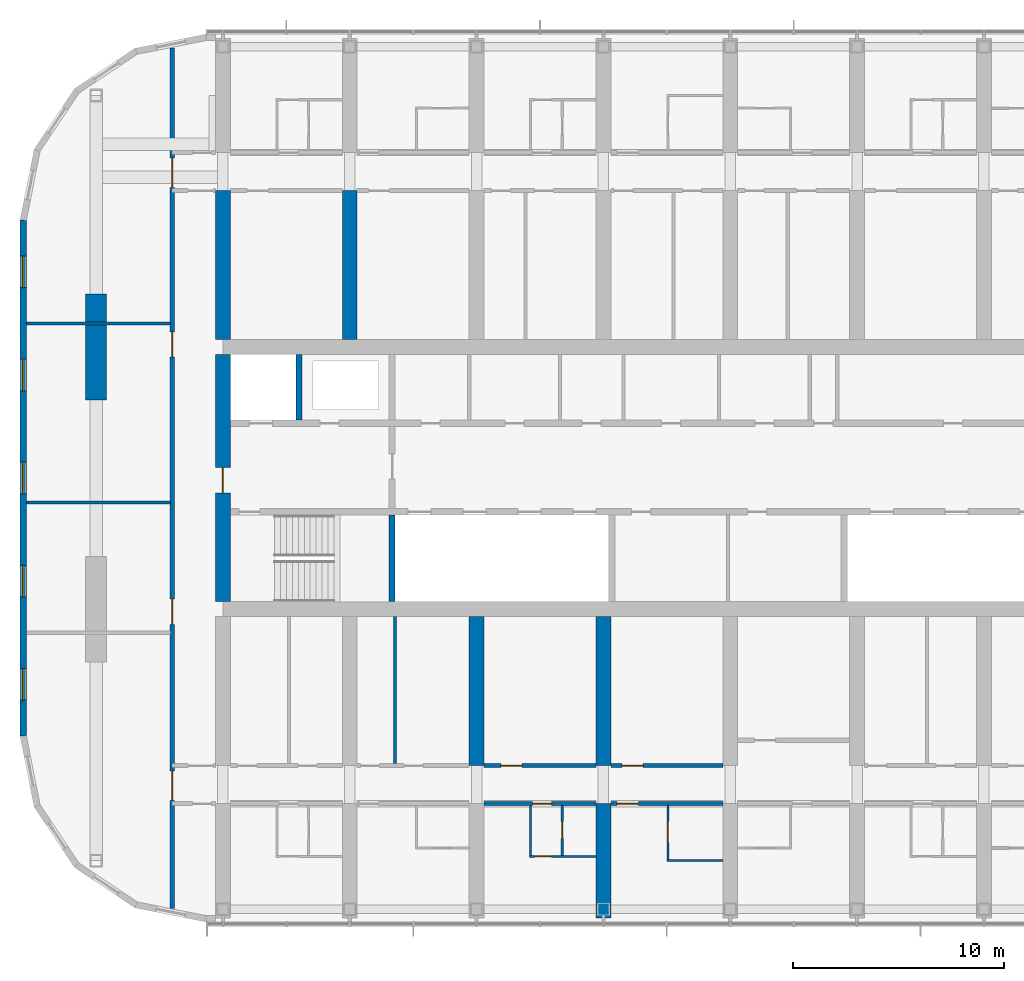
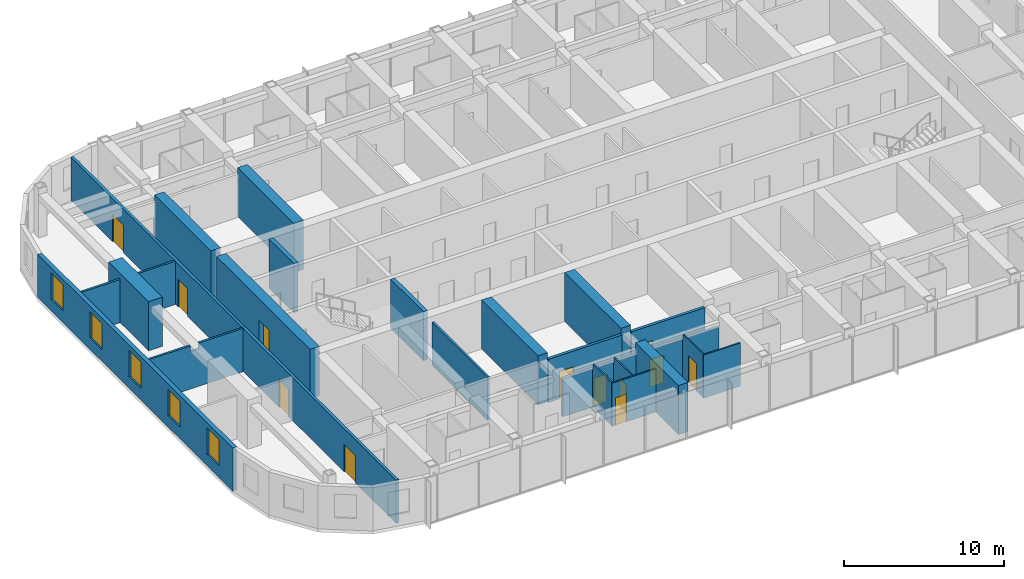
# One storey, part 11 of 23: 23 walls, 12 doors, 5 windows, 17 openings.
"""IFC4 building model written with IfcOpenShell, lengths in metres."""

from ifc_helpers import new_model, si_unit, direction, frame, frame_2d, origin, place, context, subcontext, project, spatial, polyline, rectangle, outline, extrude, material, layer, layer_set, type_object, element, fill, save


model = new_model("IFC4")

# Units and contexts
model_context = context("Model", 3, precision=1e-05, world=origin(), true_north=direction((0.0, 1.0)))
body_context = subcontext(model_context, "Body", "Model", "MODEL_VIEW")
ifc_project = project(units=[si_unit("LENGTHUNIT", "METRE"), si_unit("AREAUNIT", "SQUARE_METRE"), si_unit("VOLUMEUNIT", "CUBIC_METRE"), si_unit("PLANEANGLEUNIT", "RADIAN"), si_unit("MASSUNIT", "GRAM", prefix="KILO")], contexts=[model_context])

# Site, building, storey
site_placement = place(None, origin())
site = spatial("IfcSite", under=ifc_project, at=site_placement, CompositionType="ELEMENT")
building_placement = place(site_placement, origin())
building = spatial("IfcBuilding", under=site, at=building_placement, Name="Orbita Commons", CompositionType="ELEMENT")
storey_placement = place(building_placement, frame((0.0, 0.0, 227.800048828125)))
storey = spatial("IfcBuildingStorey", under=building, at=storey_placement, Name="L56", CompositionType="ELEMENT", Elevation=227.800048828125)

# Walls
ifc_material_1 = material(Name="Concrete C50/60", Category="concrete")
ifc_layer_1 = layer(ifc_material_1, 0.300048828125)
ifc_layer_set_1 = layer_set([ifc_layer_1], Name="Concrete C50/60")
wall_type_1 = type_object("IfcWallType", Name="Core inner wall 300 C50/60", PredefinedType="SHEAR", material=ifc_layer_set_1)
wall_1_placement = place(storey_placement, frame((26.0, 26.14990234375, 0.0), z_axis=(0.0, 0.0, 1.0), x_axis=(0.0, 1.0, 0.0)))
element("IfcWall", 1, at=wall_1_placement, inside=storey, type_object=wall_type_1, Name="Stair S1 wall L56", PredefinedType="SHEAR", context=body_context, shape_type="SweptSolid", body=[
    extrude(rectangle(XDim=4.10009765625, YDim=0.300048828125, at=frame_2d((2.050048828125, 0.0))), origin(), (0.0, 0.0, 1.0), 3.75),
])
wall_2_placement = place(storey_placement, frame((21.60009765625, 34.75, 0.0), z_axis=(0.0, 0.0, 1.0), x_axis=(0.0, 1.0, 0.0)))
element("IfcWall", 2, at=wall_2_placement, inside=storey, type_object=wall_type_1, Name="Firefighting lift FL1 shaft wall L56", PredefinedType="SHEAR", context=body_context, shape_type="SweptSolid", body=[
    extrude(rectangle(XDim=3.10009765625, YDim=0.300048828125, at=frame_2d((1.550048828125, 0.0))), origin(), (0.0, 0.0, 1.0), 3.75),
])

# Wall, opening, door
ifc_material_2 = material(Name="Concrete C50/60", Category="concrete")
ifc_layer_2 = layer(ifc_material_2, 0.699951171875)
ifc_layer_set_2 = layer_set([ifc_layer_2], Name="Concrete C50/60")
wall_type_2 = type_object("IfcWallType", Name="Core wall 700 C50/60", PredefinedType="SHEAR", material=ifc_layer_set_2)
wall_3_placement = place(storey_placement, frame((18.0, 26.14990234375, 0.0), z_axis=(0.0, 0.0, 1.0), x_axis=(0.0, 1.0, 0.0)))
wall_3 = element("IfcWall", 3, at=wall_3_placement, inside=storey, type_object=wall_type_2, Name="Core end wall west L56", PredefinedType="SHEAR", context=body_context, shape_type="SweptSolid", body=[
    extrude(rectangle(XDim=11.7001953125, YDim=0.699951171875, at=frame_2d((5.85009765625, 0.0))), origin(), (0.0, 0.0, 1.0), 3.75),
])
opening_1_placement = place(wall_3_placement, frame((5.14990234375, 0.0, 0.0)))
opening_1 = element("IfcOpeningElement", 4, at=opening_1_placement, cuts=wall_3, Name="Opening D01", PredefinedType="OPENING", context=body_context, shape_type="SweptSolid", body=[
    extrude(rectangle(XDim=1.199951171875, YDim=2.10009765625, at=frame_2d((0.60009765625, 1.050048828125))), frame((0.0, 0.35986328125, 0.0), z_axis=(0.0, -1.0, 0.0), x_axis=(1.0, 0.0, 0.0)), (0.0, 0.0, 1.0), 0.719970703125),
])
ifc_material_3 = material(Name="Steel-faced fire door leaf", Category="steel")
door_type_1 = type_object("IfcDoorType", Name="Fire door 90 min 1200x2100", OperationType="SINGLE_SWING_LEFT", PredefinedType="DOOR", material=ifc_material_3)
door_1_placement = place(opening_1_placement, origin())
door_1 = element("IfcDoor", 5, at=door_1_placement, inside=storey, type_object=door_type_1, Name="Firefighting lobby west door", OperationType="SINGLE_SWING_LEFT", OverallHeight=2.10009765625, OverallWidth=1.199951171875, PredefinedType="DOOR", context=body_context, shape_type="SweptSolid", body=[
    extrude(rectangle(XDim=1.199951171875, YDim=2.10009765625, at=frame_2d((0.60009765625, 1.050048828125))), frame((0.0, 0.02490234375, 0.0), z_axis=(0.0, -1.0, 0.0), x_axis=(1.0, 0.0, 0.0)), (0.0, 0.0, 1.0), 0.050048828125),
])
fill(opening_1, door_1)

ifc_material_4 = material(Name="Concrete blockwork", Category="masonry")
ifc_layer_3 = layer(ifc_material_4, 0.199951171875)
ifc_layer_set_3 = layer_set([ifc_layer_3], Name="Concrete blockwork")
wall_type_3 = type_object("IfcWallType", Name="Corridor wall 200 blockwork", PredefinedType="SOLIDWALL", material=ifc_layer_set_3)
wall_4_placement = place(storey_placement, frame((30.35009765625, 16.60009765625, 0.0), z_axis=(0.0, 0.0, 1.0), x_axis=(1.0, 0.0, 0.0)))
wall_4 = element("IfcWall", 6, at=wall_4_placement, inside=storey, type_object=wall_type_3, Name="Corridor wall 200 blockwork L56", PredefinedType="SOLIDWALL", context=body_context, shape_type="SweptSolid", body=[
    extrude(outline(polyline([(0.0, 0.0), (5.2998046875, 0.0), (5.300048828125, 2.89990234375), (0.0, 2.89990234375), (0.0, 0.0)])), frame((0.0, 0.10009765625, 0.0), z_axis=(0.0, -1.0, 0.0), x_axis=(1.0, 0.0, 0.0)), (0.0, 0.0, 1.0), 0.199951171875),
])
opening_2_placement = place(wall_4_placement, frame((2.300048828125, 0.0, 0.0)))
opening_2 = element("IfcOpeningElement", 7, at=opening_2_placement, cuts=wall_4, Name="Opening D11", PredefinedType="OPENING", context=body_context, shape_type="SweptSolid", body=[
    extrude(rectangle(XDim=0.89990234375, YDim=2.10009765625, at=frame_2d((0.449951171875, 1.050048828125))), frame((0.0, 0.10986328125, 0.0), z_axis=(0.0, -1.0, 0.0), x_axis=(1.0, 0.0, 0.0)), (0.0, 0.0, 1.0), 0.219970703125),
])
ifc_material_5 = material(Name="Steel-faced fire door leaf", Category="steel")
door_type_2 = type_object("IfcDoorType", Name="Corridor door 20 min 900x2100", OperationType="SINGLE_SWING_LEFT", PredefinedType="DOOR", material=ifc_material_5)
door_2_placement = place(opening_2_placement, origin())
door_2 = element("IfcDoor", 8, at=door_2_placement, inside=storey, type_object=door_type_2, Name="Studio flat L56-S04 entrance door", OperationType="SINGLE_SWING_LEFT", OverallHeight=2.10009765625, OverallWidth=0.89990234375, PredefinedType="DOOR", context=body_context, shape_type="SweptSolid", body=[
    extrude(rectangle(XDim=0.89990234375, YDim=2.10009765625, at=frame_2d((0.449951171875, 1.050048828125))), frame((0.0, 0.02490234375, 0.0), z_axis=(0.0, -1.0, 0.0), x_axis=(1.0, 0.0, 0.0)), (0.0, 0.0, 1.0), 0.050048828125),
])
fill(opening_2, door_2)

wall_5_placement = place(storey_placement, frame((36.35009765625, 16.60009765625, 0.0), z_axis=(0.0, 0.0, 1.0), x_axis=(1.0, 0.0, 0.0)))
wall_5 = element("IfcWall", 9, at=wall_5_placement, inside=storey, type_object=wall_type_3, Name="Corridor wall 200 blockwork L56", PredefinedType="SOLIDWALL", context=body_context, shape_type="SweptSolid", body=[
    extrude(outline(polyline([(0.0, 0.0), (5.2998046875, 0.0), (5.300048828125, 2.89990234375), (0.0, 2.89990234375), (0.0, 0.0)])), frame((0.0, 0.10009765625, 0.0), z_axis=(0.0, -1.0, 0.0), x_axis=(1.0, 0.0, 0.0)), (0.0, 0.0, 1.0), 0.199951171875),
])
opening_3_placement = place(wall_5_placement, frame((0.300048828125, 0.0, 0.0)))
opening_3 = element("IfcOpeningElement", 10, at=opening_3_placement, cuts=wall_5, Name="Opening D06", PredefinedType="OPENING", context=body_context, shape_type="SweptSolid", body=[
    extrude(rectangle(XDim=1.0, YDim=2.10009765625, at=frame_2d((0.5, 1.050048828125))), frame((0.0, 0.10986328125, 0.0), z_axis=(0.0, -1.0, 0.0), x_axis=(1.0, 0.0, 0.0)), (0.0, 0.0, 1.0), 0.219970703125),
])
ifc_material_6 = material(Name="Steel-faced fire door leaf", Category="steel")
door_type_3 = type_object("IfcDoorType", Name="Corridor door 20 min 1000x2100", OperationType="SINGLE_SWING_LEFT", PredefinedType="DOOR", material=ifc_material_6)
door_3_placement = place(opening_3_placement, origin())
door_3 = element("IfcDoor", 11, at=door_3_placement, inside=storey, type_object=door_type_3, Name="Accessible bedroom L56-S06 door", OperationType="SINGLE_SWING_LEFT", OverallHeight=2.10009765625, OverallWidth=1.0, PredefinedType="DOOR", context=body_context, shape_type="SweptSolid", body=[
    extrude(rectangle(XDim=1.0, YDim=2.10009765625, at=frame_2d((0.5, 1.050048828125))), frame((0.0, 0.02490234375, 0.0), z_axis=(0.0, -1.0, 0.0), x_axis=(1.0, 0.0, 0.0)), (0.0, 0.0, 1.0), 0.050048828125),
])
fill(opening_3, door_3)

# Wall, openings, doors
wall_6_placement = place(storey_placement, frame((15.60009765625, 11.646240234375, 0.0), z_axis=(0.0, 0.0, 1.0), x_axis=(0.0, 1.0, 0.0)))
wall_6 = element("IfcWall", 12, at=wall_6_placement, inside=storey, type_object=wall_type_3, Name="Corridor wall 200 blockwork L56", PredefinedType="SOLIDWALL", context=body_context, shape_type="SweptSolid", body=[
    extrude(rectangle(XDim=40.70751953125, YDim=0.199951171875, at=frame_2d((20.353759765625, 0.0))), origin(), (0.0, 0.0, 1.0), 3.300048828125),
])
opening_4_placement = place(wall_6_placement, frame((13.433837890625, 0.0, 0.0)))
opening_4 = element("IfcOpeningElement", 13, at=opening_4_placement, cuts=wall_6, Name="Opening D15", PredefinedType="OPENING", context=body_context, shape_type="SweptSolid", body=[
    extrude(rectangle(XDim=1.199951171875, YDim=2.10009765625, at=frame_2d((0.60009765625, 1.050048828125))), frame((0.0, 0.10986328125, 0.0), z_axis=(0.0, -1.0, 0.0), x_axis=(1.0, 0.0, 0.0)), (0.0, 0.0, 1.0), 0.219970703125),
])
opening_5_placement = place(wall_6_placement, frame((26.07373046875, 0.0, 0.0)))
opening_5 = element("IfcOpeningElement", 14, at=opening_5_placement, cuts=wall_6, Name="Opening D15", PredefinedType="OPENING", context=body_context, shape_type="SweptSolid", body=[
    extrude(rectangle(XDim=1.199951171875, YDim=2.10009765625, at=frame_2d((0.60009765625, 1.050048828125))), frame((0.0, 0.10986328125, 0.0), z_axis=(0.0, -1.0, 0.0), x_axis=(1.0, 0.0, 0.0)), (0.0, 0.0, 1.0), 0.219970703125),
])
opening_6_placement = place(wall_6_placement, frame((5.103759765625, 0.0, 0.0)))
opening_6 = element("IfcOpeningElement", 15, at=opening_6_placement, cuts=wall_6, Name="Opening D08", PredefinedType="OPENING", context=body_context, shape_type="SweptSolid", body=[
    extrude(rectangle(XDim=1.39990234375, YDim=2.10009765625, at=frame_2d((0.699951171875, 1.050048828125))), frame((0.0, 0.10986328125, 0.0), z_axis=(0.0, -1.0, 0.0), x_axis=(1.0, 0.0, 0.0)), (0.0, 0.0, 1.0), 0.219970703125),
])
opening_7_placement = place(wall_6_placement, frame((34.103759765625, 0.0, 0.0)))
opening_7 = element("IfcOpeningElement", 16, at=opening_7_placement, cuts=wall_6, Name="Opening D08", PredefinedType="OPENING", context=body_context, shape_type="SweptSolid", body=[
    extrude(rectangle(XDim=1.39990234375, YDim=2.10009765625, at=frame_2d((0.699951171875, 1.050048828125))), frame((0.0, 0.10986328125, 0.0), z_axis=(0.0, -1.0, 0.0), x_axis=(1.0, 0.0, 0.0)), (0.0, 0.0, 1.0), 0.219970703125),
])
ifc_material_7 = material(Name="Steel-faced fire door leaf", Category="steel")
door_type_4 = type_object("IfcDoorType", Name="Corridor door 20 min 1200x2100", OperationType="SINGLE_SWING_LEFT", PredefinedType="DOOR", material=ifc_material_7)
door_4_placement = place(opening_4_placement, origin())
door_4 = element("IfcDoor", 17, at=door_4_placement, inside=storey, type_object=door_type_4, Name="Study hall door", OperationType="SINGLE_SWING_LEFT", OverallHeight=2.10009765625, OverallWidth=1.199951171875, PredefinedType="DOOR", context=body_context, shape_type="SweptSolid", body=[
    extrude(rectangle(XDim=1.199951171875, YDim=2.10009765625, at=frame_2d((0.60009765625, 1.050048828125))), frame((0.0, 0.02490234375, 0.0), z_axis=(0.0, -1.0, 0.0), x_axis=(1.0, 0.0, 0.0)), (0.0, 0.0, 1.0), 0.050048828125),
])
fill(opening_4, door_4)
door_5_placement = place(opening_5_placement, origin())
door_5 = element("IfcDoor", 18, at=door_5_placement, inside=storey, type_object=door_type_4, Name="Study hall door", OperationType="SINGLE_SWING_LEFT", OverallHeight=2.10009765625, OverallWidth=1.199951171875, PredefinedType="DOOR", context=body_context, shape_type="SweptSolid", body=[
    extrude(rectangle(XDim=1.199951171875, YDim=2.10009765625, at=frame_2d((0.60009765625, 1.050048828125))), frame((0.0, 0.02490234375, 0.0), z_axis=(0.0, -1.0, 0.0), x_axis=(1.0, 0.0, 0.0)), (0.0, 0.0, 1.0), 0.050048828125),
])
fill(opening_5, door_5)
ifc_material_8 = material(Name="Steel-faced fire door leaf", Category="steel")
door_type_5 = type_object("IfcDoorType", Name="Double corridor door 20 min 1400x2100", OperationType="DOUBLE_DOOR_SINGLE_SWING", PredefinedType="DOOR", material=ifc_material_8)
door_6_placement = place(opening_6_placement, origin())
door_6 = element("IfcDoor", 19, at=door_6_placement, inside=storey, type_object=door_type_5, Name="Lounge doors", OperationType="DOUBLE_DOOR_SINGLE_SWING", OverallHeight=2.10009765625, OverallWidth=1.39990234375, PredefinedType="DOOR", context=body_context, shape_type="SweptSolid", body=[
    extrude(rectangle(XDim=1.39990234375, YDim=2.10009765625, at=frame_2d((0.699951171875, 1.050048828125))), frame((0.0, 0.02490234375, 0.0), z_axis=(0.0, -1.0, 0.0), x_axis=(1.0, 0.0, 0.0)), (0.0, 0.0, 1.0), 0.050048828125),
])
fill(opening_6, door_6)
door_7_placement = place(opening_7_placement, origin())
door_7 = element("IfcDoor", 20, at=door_7_placement, inside=storey, type_object=door_type_5, Name="Lounge doors", OperationType="DOUBLE_DOOR_SINGLE_SWING", OverallHeight=2.10009765625, OverallWidth=1.39990234375, PredefinedType="DOOR", context=body_context, shape_type="SweptSolid", body=[
    extrude(rectangle(XDim=1.39990234375, YDim=2.10009765625, at=frame_2d((0.699951171875, 1.050048828125))), frame((0.0, 0.02490234375, 0.0), z_axis=(0.0, -1.0, 0.0), x_axis=(1.0, 0.0, 0.0)), (0.0, 0.0, 1.0), 0.050048828125),
])
fill(opening_7, door_7)

# Wall, opening, door
ifc_material_9 = material(Name="Hollow concrete block 200", Category="concrete")
ifc_layer_4 = layer(ifc_material_9, 0.199951171875)
ifc_layer_set_4 = layer_set([ifc_layer_4], Name="Hollow concrete block 200")
wall_type_4 = type_object("IfcWallType", Name="Corridor wall 200 hollow concrete block", PredefinedType="SOLIDWALL", material=ifc_layer_set_4)
wall_7_placement = place(storey_placement, frame((30.35009765625, 18.39990234375, 0.0), z_axis=(0.0, 0.0, 1.0), x_axis=(1.0, 0.0, 0.0)))
wall_7 = element("IfcWall", 21, at=wall_7_placement, inside=storey, type_object=wall_type_4, Name="Corridor wall 200 hollow concrete block L56", PredefinedType="SOLIDWALL", context=body_context, shape_type="SweptSolid", body=[
    extrude(rectangle(XDim=5.2998046875, YDim=0.199951171875, at=frame_2d((2.64990234375, 0.0))), origin(), (0.0, 0.0, 1.0), 3.300048828125),
])
opening_8_placement = place(wall_7_placement, frame((0.800048828125, 0.0, 0.0)))
opening_8 = element("IfcOpeningElement", 22, at=opening_8_placement, cuts=wall_7, Name="Opening D06", PredefinedType="OPENING", context=body_context, shape_type="SweptSolid", body=[
    extrude(rectangle(XDim=1.0, YDim=2.10009765625, at=frame_2d((0.5, 1.050048828125))), frame((0.0, 0.10986328125, 0.0), z_axis=(0.0, -1.0, 0.0), x_axis=(1.0, 0.0, 0.0)), (0.0, 0.0, 1.0), 0.219970703125),
])
door_8_placement = place(opening_8_placement, origin())
door_8 = element("IfcDoor", 23, at=door_8_placement, inside=storey, type_object=door_type_3, Name="Electrical and data room L56-BDS30 door", OperationType="SINGLE_SWING_LEFT", OverallHeight=2.10009765625, OverallWidth=1.0, PredefinedType="DOOR", context=body_context, shape_type="SweptSolid", body=[
    extrude(rectangle(XDim=1.0, YDim=2.10009765625, at=frame_2d((0.5, 1.050048828125))), frame((0.0, 0.02490234375, 0.0), z_axis=(0.0, -1.0, 0.0), x_axis=(1.0, 0.0, 0.0)), (0.0, 0.0, 1.0), 0.050048828125),
])
fill(opening_8, door_8)

wall_8_placement = place(storey_placement, frame((36.35009765625, 18.39990234375, 0.0), z_axis=(0.0, 0.0, 1.0), x_axis=(1.0, 0.0, 0.0)))
wall_8 = element("IfcWall", 24, at=wall_8_placement, inside=storey, type_object=wall_type_4, Name="Corridor wall 200 hollow concrete block L56", PredefinedType="SOLIDWALL", context=body_context, shape_type="SweptSolid", body=[
    extrude(rectangle(XDim=5.2998046875, YDim=0.199951171875, at=frame_2d((2.64990234375, 0.0))), origin(), (0.0, 0.0, 1.0), 3.300048828125),
])
opening_9_placement = place(wall_8_placement, frame((0.52490234375, 0.0, 0.0)))
opening_9 = element("IfcOpeningElement", 25, at=opening_9_placement, cuts=wall_8, Name="Opening D06", PredefinedType="OPENING", context=body_context, shape_type="SweptSolid", body=[
    extrude(rectangle(XDim=1.0, YDim=2.10009765625, at=frame_2d((0.5, 1.050048828125))), frame((0.0, 0.10986328125, 0.0), z_axis=(0.0, -1.0, 0.0), x_axis=(1.0, 0.0, 0.0)), (0.0, 0.0, 1.0), 0.219970703125),
])
door_9_placement = place(opening_9_placement, origin())
door_9 = element("IfcDoor", 26, at=door_9_placement, inside=storey, type_object=door_type_3, Name="IT and print room L56-BDS36 door", OperationType="SINGLE_SWING_LEFT", OverallHeight=2.10009765625, OverallWidth=1.0, PredefinedType="DOOR", context=body_context, shape_type="SweptSolid", body=[
    extrude(rectangle(XDim=1.0, YDim=2.10009765625, at=frame_2d((0.5, 1.050048828125))), frame((0.0, 0.02490234375, 0.0), z_axis=(0.0, -1.0, 0.0), x_axis=(1.0, 0.0, 0.0)), (0.0, 0.0, 1.0), 0.050048828125),
])
fill(opening_9, door_9)

# Walls
ifc_material_10 = material(Name="Concrete C50/60", Category="concrete")
ifc_layer_5 = layer(ifc_material_10, 0.699951171875)
ifc_layer_set_5 = layer_set([ifc_layer_5], Name="Concrete C50/60")
wall_type_5 = type_object("IfcWallType", Name="Cross wall 700 C50/60", PredefinedType="SHEAR", material=ifc_layer_set_5)
for number, where, z_axis, x_axis, name in (
    (27, (18.0, 38.550048828125, 0.0), (0.0, 0.0, 1.0), (0.0, 1.0, 0.0), "Cross wall 4 north inner L56"),
    (28, (24.0, 38.550048828125, 0.0), (0.0, 0.0, 1.0), (0.0, 1.0, 0.0), "Cross wall 5 north inner L56"),
    (29, (30.0, 18.39990234375, 0.0), (0.0, 0.0, 1.0), (0.0, 1.0, 0.0), "Cross wall 6 south inner L56"),
):
    element("IfcWall", number, at=place(storey_placement, frame(where, z_axis=z_axis, x_axis=x_axis)), inside=storey, type_object=wall_type_5, Name=name, PredefinedType="SHEAR", context=body_context, shape_type="SweptSolid", body=[
        extrude(rectangle(XDim=7.050048828125, YDim=0.699951171875, at=frame_2d((3.52490234375, 0.0))), origin(), (0.0, 0.0, 1.0), 3.75),
    ])
wall_9_placement = place(storey_placement, frame((36.0, 11.199951171875, 0.0), z_axis=(0.0, 0.0, 1.0), x_axis=(0.0, 1.0, 0.0)))
element("IfcWall", 30, at=wall_9_placement, inside=storey, type_object=wall_type_5, Name="Cross wall 7 south outer L56", PredefinedType="SHEAR", context=body_context, shape_type="SweptSolid", body=[
    extrude(rectangle(XDim=5.400146484375, YDim=0.699951171875, at=frame_2d((2.7001953125, 0.0))), origin(), (0.0, 0.0, 1.0), 3.75),
])
wall_10_placement = place(storey_placement, frame((36.0, 18.39990234375, 0.0), z_axis=(0.0, 0.0, 1.0), x_axis=(0.0, 1.0, 0.0)))
element("IfcWall", 31, at=wall_10_placement, inside=storey, type_object=wall_type_5, Name="Cross wall 7 south inner L56", PredefinedType="SHEAR", context=body_context, shape_type="SweptSolid", body=[
    extrude(rectangle(XDim=7.050048828125, YDim=0.699951171875, at=frame_2d((3.52490234375, 0.0))), origin(), (0.0, 0.0, 1.0), 3.75),
])

# Wall, opening, door
ifc_material_11 = material(Name="Moisture-resistant plasterboard on steel studs", Category="steel")
ifc_layer_6 = layer(ifc_material_11, 0.10009765625)
ifc_layer_set_6 = layer_set([ifc_layer_6], Name="Moisture-resistant plasterboard on steel studs")
wall_type_6 = type_object("IfcWallType", Name="En-suite partition 100", PredefinedType="PARTITIONING", material=ifc_layer_set_6)
wall_11_placement = place(storey_placement, frame((35.64990234375, 14.10009765625, 0.0), z_axis=(0.0, 0.0, 1.0), x_axis=(-1.0, 0.0, 0.0)))
wall_11 = element("IfcWall", 32, at=wall_11_placement, inside=storey, type_object=wall_type_6, Name="En-suite partition 100 L56", PredefinedType="PARTITIONING", context=body_context, shape_type="SweptSolid", body=[
    extrude(rectangle(XDim=3.14990234375, YDim=0.10009765625, at=frame_2d((1.574951171875, 0.0))), origin(), (0.0, 0.0, 1.0), 3.300048828125),
])
opening_10_placement = place(wall_11_placement, frame((2.10009765625, 0.0, 0.0)))
opening_10 = element("IfcOpeningElement", 33, at=opening_10_placement, cuts=wall_11, Name="Opening D16", PredefinedType="OPENING", context=body_context, shape_type="SweptSolid", body=[
    extrude(rectangle(XDim=0.800048828125, YDim=2.10009765625, at=frame_2d((0.39990234375, 1.050048828125))), frame((0.0, 0.06005859375, 0.0), z_axis=(0.0, -1.0, 0.0), x_axis=(1.0, 0.0, 0.0)), (0.0, 0.0, 1.0), 0.1201171875),
])
ifc_material_12 = material(Name="Laminated timber door leaf", Category="wood")
door_type_6 = type_object("IfcDoorType", Name="En-suite door 800x2100", OperationType="SINGLE_SWING_RIGHT", PredefinedType="DOOR", material=ifc_material_12)
door_10_placement = place(opening_10_placement, origin())
door_10 = element("IfcDoor", 34, at=door_10_placement, inside=storey, type_object=door_type_6, Name="Studio flat L56-S04 door", OperationType="SINGLE_SWING_RIGHT", OverallHeight=2.10009765625, OverallWidth=0.800048828125, PredefinedType="DOOR", context=body_context, shape_type="SweptSolid", body=[
    extrude(rectangle(XDim=0.800048828125, YDim=2.10009765625, at=frame_2d((0.39990234375, 1.050048828125))), frame((0.0, 0.02490234375, 0.0), z_axis=(0.0, -1.0, 0.0), x_axis=(1.0, 0.0, 0.0)), (0.0, 0.0, 1.0), 0.050048828125),
])
fill(opening_10, door_10)

# Wall
wall_12_placement = place(storey_placement, frame((32.550048828125, 14.14990234375, 0.0), z_axis=(0.0, 0.0, 1.0), x_axis=(0.0, 1.0, 0.0)))
element("IfcWall", 35, at=wall_12_placement, inside=storey, type_object=wall_type_6, Name="En-suite partition 100 L56", PredefinedType="PARTITIONING", context=body_context, shape_type="SweptSolid", body=[
    extrude(outline(polyline([(0.0, 0.0), (2.35009765625, 0.0), (2.35009765625, 2.89990234375), (2.302001953125, 2.89990234375), (2.300048828125, 3.300048828125), (0.0, 3.300048828125), (0.0, 0.0)])), frame((0.0, 0.050048828125, 0.0), z_axis=(0.0, -1.0, 0.0), x_axis=(1.0, 0.0, 0.0)), (0.0, 0.0, 1.0), 0.10009765625),
])

# Wall, opening, door
wall_13_placement = place(storey_placement, frame((34.050048828125, 14.14990234375, 0.0), z_axis=(0.0, 0.0, 1.0), x_axis=(0.0, 1.0, 0.0)))
wall_13 = element("IfcWall", 36, at=wall_13_placement, inside=storey, type_object=wall_type_6, Name="En-suite partition 100 L56", PredefinedType="PARTITIONING", context=body_context, shape_type="SweptSolid", body=[
    extrude(outline(polyline([(0.0, 0.0), (2.35009765625, 0.0), (2.35009765625, 2.89990234375), (2.302001953125, 2.89990234375), (2.300048828125, 3.300048828125), (0.0, 3.300048828125), (0.0, 0.0)])), frame((0.0, 0.050048828125, 0.0), z_axis=(0.0, -1.0, 0.0), x_axis=(1.0, 0.0, 0.0)), (0.0, 0.0, 1.0), 0.10009765625),
])
opening_11_placement = place(wall_13_placement, frame((0.800048828125, 0.0, 0.0)))
opening_11 = element("IfcOpeningElement", 37, at=opening_11_placement, cuts=wall_13, Name="Opening D16", PredefinedType="OPENING", context=body_context, shape_type="SweptSolid", body=[
    extrude(rectangle(XDim=0.800048828125, YDim=2.10009765625, at=frame_2d((0.39990234375, 1.050048828125))), frame((0.0, 0.06005859375, 0.0), z_axis=(0.0, -1.0, 0.0), x_axis=(1.0, 0.0, 0.0)), (0.0, 0.0, 1.0), 0.1201171875),
])
door_11_placement = place(opening_11_placement, origin())
door_11 = element("IfcDoor", 38, at=door_11_placement, inside=storey, type_object=door_type_6, Name="Studio flat shower room L56-S04 door", OperationType="SINGLE_SWING_RIGHT", OverallHeight=2.10009765625, OverallWidth=0.800048828125, PredefinedType="DOOR", context=body_context, shape_type="SweptSolid", body=[
    extrude(rectangle(XDim=0.800048828125, YDim=2.10009765625, at=frame_2d((0.39990234375, 1.050048828125))), frame((0.0, 0.02490234375, 0.0), z_axis=(0.0, -1.0, 0.0), x_axis=(1.0, 0.0, 0.0)), (0.0, 0.0, 1.0), 0.050048828125),
])
fill(opening_11, door_11)

# Wall
wall_14_placement = place(storey_placement, frame((39.0, 13.89990234375, 0.0), z_axis=(0.0, 0.0, 1.0), x_axis=(1.0, 0.0, 0.0)))
element("IfcWall", 39, at=wall_14_placement, inside=storey, type_object=wall_type_6, Name="En-suite partition 100 L56", PredefinedType="PARTITIONING", context=body_context, shape_type="SweptSolid", body=[
    extrude(rectangle(XDim=2.64990234375, YDim=0.10009765625, at=frame_2d((1.324951171875, 0.0))), origin(), (0.0, 0.0, 1.0), 3.300048828125),
])

# Wall, opening, door
wall_15_placement = place(storey_placement, frame((39.050048828125, 13.949951171875, 0.0), z_axis=(0.0, 0.0, 1.0), x_axis=(0.0, 1.0, 0.0)))
wall_15 = element("IfcWall", 40, at=wall_15_placement, inside=storey, type_object=wall_type_6, Name="En-suite partition 100 L56", PredefinedType="PARTITIONING", context=body_context, shape_type="SweptSolid", body=[
    extrude(outline(polyline([(0.0, 0.0), (2.550048828125, 0.0), (2.550048828125, 2.89990234375), (2.501953125, 2.89990234375), (2.5, 3.300048828125), (0.0, 3.300048828125), (0.0, 0.0)])), frame((0.0, 0.050048828125, 0.0), z_axis=(0.0, -1.0, 0.0), x_axis=(1.0, 0.0, 0.0)), (0.0, 0.0, 1.0), 0.10009765625),
])
opening_12_placement = place(wall_15_placement, frame((0.800048828125, 0.0, 0.0)))
opening_12 = element("IfcOpeningElement", 41, at=opening_12_placement, cuts=wall_15, Name="Opening D13", PredefinedType="OPENING", context=body_context, shape_type="SweptSolid", body=[
    extrude(rectangle(XDim=1.0, YDim=2.10009765625, at=frame_2d((0.5, 1.050048828125))), frame((0.0, 0.06005859375, 0.0), z_axis=(0.0, -1.0, 0.0), x_axis=(1.0, 0.0, 0.0)), (0.0, 0.0, 1.0), 0.1201171875),
])
ifc_material_13 = material(Name="Laminated timber door leaf", Category="wood")
door_type_7 = type_object("IfcDoorType", Name="En-suite door 1000x2100", OperationType="SINGLE_SWING_RIGHT", PredefinedType="DOOR", material=ifc_material_13)
door_12_placement = place(opening_12_placement, origin())
door_12 = element("IfcDoor", 42, at=door_12_placement, inside=storey, type_object=door_type_7, Name="Accessible shower room L56-S06 door", OperationType="SINGLE_SWING_RIGHT", OverallHeight=2.10009765625, OverallWidth=1.0, PredefinedType="DOOR", context=body_context, shape_type="SweptSolid", body=[
    extrude(rectangle(XDim=1.0, YDim=2.10009765625, at=frame_2d((0.5, 1.050048828125))), frame((0.0, 0.02490234375, 0.0), z_axis=(0.0, -1.0, 0.0), x_axis=(1.0, 0.0, 0.0)), (0.0, 0.0, 1.0), 0.050048828125),
])
fill(opening_12, door_12)

# Walls
ifc_material_14 = material(Name="Concrete C50/60", Category="concrete")
ifc_layer_7 = layer(ifc_material_14, 1.0)
ifc_layer_set_7 = layer_set([ifc_layer_7], Name="Concrete C50/60")
wall_type_7 = type_object("IfcWallType", Name="End pier 1000x5000 C50/60", PredefinedType="SHEAR", material=ifc_layer_set_7)
wall_16_placement = place(storey_placement, frame((12.0, 35.699951171875, 0.0), z_axis=(0.0, 0.0, 1.0), x_axis=(0.0, 1.0, 0.0)))
element("IfcWall", 43, at=wall_16_placement, inside=storey, type_object=wall_type_7, Name="End pier 3/D L56", PredefinedType="SHEAR", context=body_context, shape_type="SweptSolid", body=[
    extrude(rectangle(XDim=5.0, YDim=1.0, at=frame_2d((2.5, 0.0))), origin(), (0.0, 0.0, 1.0), 3.75),
])
ifc_material_15 = material(Name="Gypsum plasterboard on steel studs", Category="steel")
ifc_layer_8 = layer(ifc_material_15, 0.14990234375)
ifc_layer_set_8 = layer_set([ifc_layer_8], Name="Gypsum plasterboard on steel studs")
wall_type_8 = type_object("IfcWallType", Name="Partition 150 plasterboard", PredefinedType="PARTITIONING", material=ifc_layer_set_8)
wall_17_placement = place(storey_placement, frame((26.14501953125, 18.5, 0.0), z_axis=(0.0, 0.0, 1.0), x_axis=(0.0, 1.0, 0.0)))
element("IfcWall", 44, at=wall_17_placement, inside=storey, type_object=wall_type_8, Name="Partition 150 plasterboard L56", PredefinedType="PARTITIONING", context=body_context, shape_type="SweptSolid", body=[
    extrude(rectangle(XDim=6.949951171875, YDim=0.14990234375, at=frame_2d((3.47509765625, 0.0))), origin(), (0.0, 0.0, 1.0), 3.300048828125),
])
wall_18_placement = place(storey_placement, frame((8.705078125, 30.85009765625, 0.0), z_axis=(0.0, 0.0, 1.0), x_axis=(1.0, 0.0, 0.0)))
element("IfcWall", 45, at=wall_18_placement, inside=storey, type_object=wall_type_8, Name="Partition 150 plasterboard L56", PredefinedType="PARTITIONING", context=body_context, shape_type="SweptSolid", body=[
    extrude(outline(polyline([(0.0, 0.0), (6.81982421875, 0.0), (6.820068359375, 3.300048828125), (3.596923828125, 3.300048828125), (3.594970703125, 2.849853515625), (2.9970703125, 2.849853515625), (2.9951171875, 3.300048828125), (0.0, 3.300048828125), (0.0, 0.0)])), frame((0.0, 0.074951171875, 0.0), z_axis=(0.0, -1.0, 0.0), x_axis=(1.0, 0.0, 0.0)), (0.0, 0.0, 1.0), 0.14990234375),
])
wall_19_placement = place(storey_placement, frame((8.705078125, 39.320068359375, 0.0), z_axis=(0.0, 0.0, 1.0), x_axis=(1.0, 0.0, 0.0)))
element("IfcWall", 46, at=wall_19_placement, inside=storey, type_object=wall_type_8, Name="Partition 150 plasterboard L56", PredefinedType="PARTITIONING", context=body_context, shape_type="SweptSolid", body=[
    extrude(rectangle(XDim=6.81982421875, YDim=0.14990234375, at=frame_2d((3.409912109375, 0.0))), origin(), (0.0, 0.0, 1.0), 3.300048828125),
])

# Wall, openings, windows
ifc_material_16 = material(Name="Precast concrete C40/50, white board-marked finish", Category="concrete")
ifc_layer_9 = layer(ifc_material_16, 0.300048828125)
ifc_layer_set_9 = layer_set([ifc_layer_9], Name="Precast concrete C40/50, white board-marked finish")
wall_type_9 = type_object("IfcWallType", Name="Precast concrete end shield 300", PredefinedType="SOLIDWALL", material=ifc_layer_set_9)
wall_20_placement = place(storey_placement, frame((8.550048828125, 44.199951171875, 0.0), z_axis=(0.0, 0.0, 1.0), x_axis=(0.0, -1.0, 0.0)))
wall_20 = element("IfcWall", 47, at=wall_20_placement, inside=storey, type_object=wall_type_9, Name="End shield W L56", PredefinedType="SOLIDWALL", context=body_context, shape_type="SweptSolid", body=[
    extrude(outline(polyline([(-0.014892578125, -0.14990234375), (24.414794921875, -0.14990234375), (24.385009765625, 0.14990234375), (0.014892578125, 0.14990234375), (-0.014892578125, -0.14990234375)])), origin(), (0.0, 0.0, 1.0), 3.300048828125),
])
opening_13_placement = place(wall_20_placement, frame((1.68994140625, 0.0, 0.89990234375)))
opening_13 = element("IfcOpeningElement", 48, at=opening_13_placement, cuts=wall_20, Name="Opening W01", PredefinedType="OPENING", context=body_context, shape_type="SweptSolid", body=[
    extrude(rectangle(XDim=1.5, YDim=2.0, at=frame_2d((0.75, 1.0))), frame((0.0, 0.159912109375, 0.0), z_axis=(0.0, -1.0, 0.0), x_axis=(1.0, 0.0, 0.0)), (0.0, 0.0, 1.0), 0.320068359375),
])
opening_14_placement = place(wall_20_placement, frame((6.570068359375, 0.0, 0.89990234375)))
opening_14 = element("IfcOpeningElement", 49, at=opening_14_placement, cuts=wall_20, Name="Opening W01", PredefinedType="OPENING", context=body_context, shape_type="SweptSolid", body=[
    extrude(rectangle(XDim=1.5, YDim=2.0, at=frame_2d((0.75, 1.0))), frame((0.0, 0.159912109375, 0.0), z_axis=(0.0, -1.0, 0.0), x_axis=(1.0, 0.0, 0.0)), (0.0, 0.0, 1.0), 0.320068359375),
])
opening_15_placement = place(wall_20_placement, frame((11.449951171875, 0.0, 0.89990234375)))
opening_15 = element("IfcOpeningElement", 50, at=opening_15_placement, cuts=wall_20, Name="Opening W01", PredefinedType="OPENING", context=body_context, shape_type="SweptSolid", body=[
    extrude(rectangle(XDim=1.5, YDim=2.0, at=frame_2d((0.75, 1.0))), frame((0.0, 0.159912109375, 0.0), z_axis=(0.0, -1.0, 0.0), x_axis=(1.0, 0.0, 0.0)), (0.0, 0.0, 1.0), 0.320068359375),
])
opening_16_placement = place(wall_20_placement, frame((16.330078125, 0.0, 0.89990234375)))
opening_16 = element("IfcOpeningElement", 51, at=opening_16_placement, cuts=wall_20, Name="Opening W01", PredefinedType="OPENING", context=body_context, shape_type="SweptSolid", body=[
    extrude(rectangle(XDim=1.5, YDim=2.0, at=frame_2d((0.75, 1.0))), frame((0.0, 0.159912109375, 0.0), z_axis=(0.0, -1.0, 0.0), x_axis=(1.0, 0.0, 0.0)), (0.0, 0.0, 1.0), 0.320068359375),
])
opening_17_placement = place(wall_20_placement, frame((21.2099609375, 0.0, 0.89990234375)))
opening_17 = element("IfcOpeningElement", 52, at=opening_17_placement, cuts=wall_20, Name="Opening W01", PredefinedType="OPENING", context=body_context, shape_type="SweptSolid", body=[
    extrude(rectangle(XDim=1.5, YDim=2.0, at=frame_2d((0.75, 1.0))), frame((0.0, 0.159912109375, 0.0), z_axis=(0.0, -1.0, 0.0), x_axis=(1.0, 0.0, 0.0)), (0.0, 0.0, 1.0), 0.320068359375),
])
ifc_material_17 = material(Name="Aluminium frame, clear double glazing", Category="aluminium")
window_type = type_object("IfcWindowType", Name="Deep-set window 1500x2000", PartitioningType="SINGLE_PANEL", PredefinedType="WINDOW", material=ifc_material_17)
window_1_placement = place(opening_13_placement, origin())
window_1 = element("IfcWindow", 53, at=window_1_placement, inside=storey, type_object=window_type, Name="Window L56-W 1", OverallHeight=2.0, OverallWidth=1.5, PartitioningType="SINGLE_PANEL", PredefinedType="WINDOW", context=body_context, shape_type="SweptSolid", body=[
    extrude(rectangle(XDim=1.5, YDim=2.0, at=frame_2d((0.75, 1.0))), frame((0.0, 0.030029296875, 0.0), z_axis=(0.0, -1.0, 0.0), x_axis=(1.0, 0.0, 0.0)), (0.0, 0.0, 1.0), 0.06005859375),
])
fill(opening_13, window_1)
window_2_placement = place(opening_14_placement, origin())
window_2 = element("IfcWindow", 54, at=window_2_placement, inside=storey, type_object=window_type, Name="Window L56-W 2", OverallHeight=2.0, OverallWidth=1.5, PartitioningType="SINGLE_PANEL", PredefinedType="WINDOW", context=body_context, shape_type="SweptSolid", body=[
    extrude(rectangle(XDim=1.5, YDim=2.0, at=frame_2d((0.75, 1.0))), frame((0.0, 0.030029296875, 0.0), z_axis=(0.0, -1.0, 0.0), x_axis=(1.0, 0.0, 0.0)), (0.0, 0.0, 1.0), 0.06005859375),
])
fill(opening_14, window_2)
window_3_placement = place(opening_15_placement, origin())
window_3 = element("IfcWindow", 55, at=window_3_placement, inside=storey, type_object=window_type, Name="Window L56-W 3", OverallHeight=2.0, OverallWidth=1.5, PartitioningType="SINGLE_PANEL", PredefinedType="WINDOW", context=body_context, shape_type="SweptSolid", body=[
    extrude(rectangle(XDim=1.5, YDim=2.0, at=frame_2d((0.75, 1.0))), frame((0.0, 0.030029296875, 0.0), z_axis=(0.0, -1.0, 0.0), x_axis=(1.0, 0.0, 0.0)), (0.0, 0.0, 1.0), 0.06005859375),
])
fill(opening_15, window_3)
window_4_placement = place(opening_16_placement, origin())
window_4 = element("IfcWindow", 56, at=window_4_placement, inside=storey, type_object=window_type, Name="Window L56-W 4", OverallHeight=2.0, OverallWidth=1.5, PartitioningType="SINGLE_PANEL", PredefinedType="WINDOW", context=body_context, shape_type="SweptSolid", body=[
    extrude(rectangle(XDim=1.5, YDim=2.0, at=frame_2d((0.75, 1.0))), frame((0.0, 0.030029296875, 0.0), z_axis=(0.0, -1.0, 0.0), x_axis=(1.0, 0.0, 0.0)), (0.0, 0.0, 1.0), 0.06005859375),
])
fill(opening_16, window_4)
window_5_placement = place(opening_17_placement, origin())
window_5 = element("IfcWindow", 57, at=window_5_placement, inside=storey, type_object=window_type, Name="Window L56-W 5", OverallHeight=2.0, OverallWidth=1.5, PartitioningType="SINGLE_PANEL", PredefinedType="WINDOW", context=body_context, shape_type="SweptSolid", body=[
    extrude(rectangle(XDim=1.5, YDim=2.0, at=frame_2d((0.75, 1.0))), frame((0.0, 0.030029296875, 0.0), z_axis=(0.0, -1.0, 0.0), x_axis=(1.0, 0.0, 0.0)), (0.0, 0.0, 1.0), 0.06005859375),
])
fill(opening_17, window_5)

save(model, "model.ifc")
